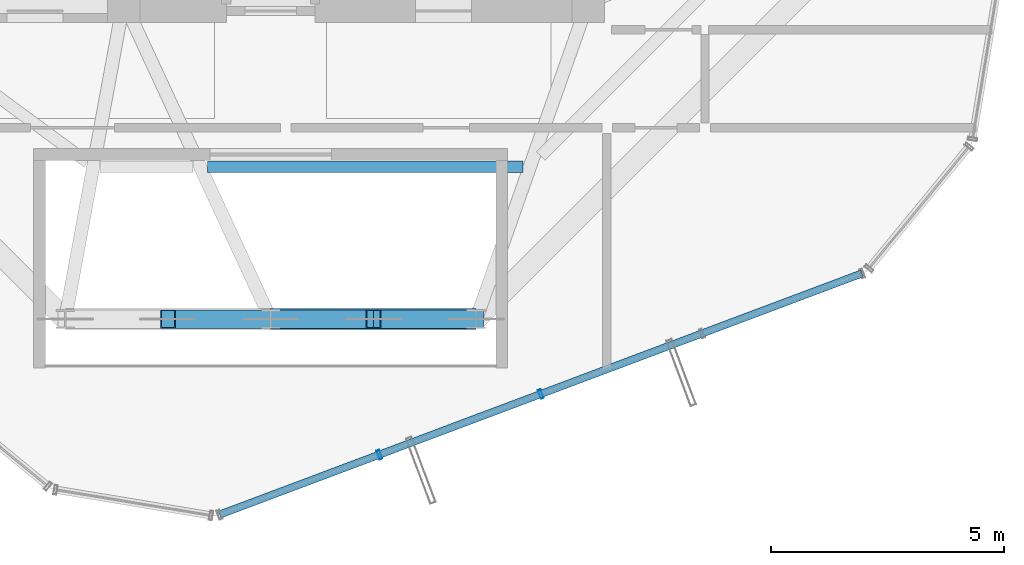
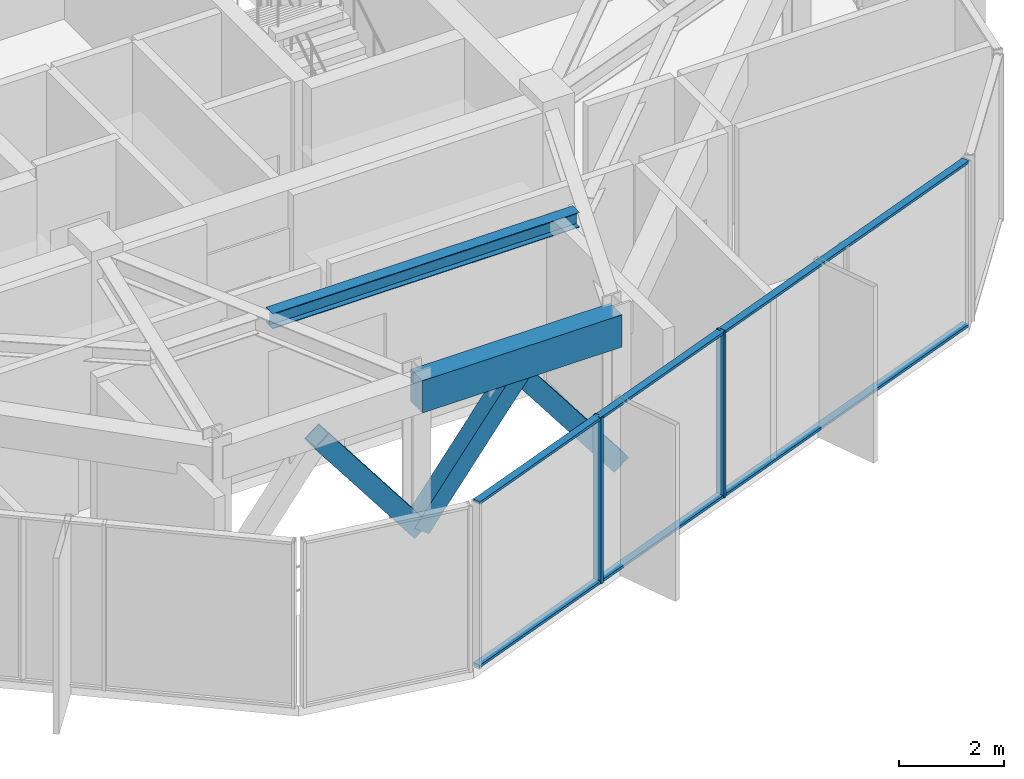
# One storey, part 6 of 22: 7 members, 2 beams, 1 element without a shape of its own.
"""IFC4 building model written with IfcOpenShell, lengths in metres."""

from ifc_helpers import new_model, si_unit, direction, frame, origin, origin_2d, place, context, subcontext, project, spatial, rectangle, hollow_rectangle, i_section, extrude, source, transform, mapped, material, layer, layer_set, material_profile, profile_set, type_object, element, aggregate, save


model = new_model("IFC4")

# Units and contexts
model_context = context("Model", 3, precision=1e-05, world=origin(), true_north=direction((0.0, 1.0)))
body_context = subcontext(model_context, "Body", "Model", "MODEL_VIEW")
ifc_project = project(units=[si_unit("LENGTHUNIT", "METRE"), si_unit("AREAUNIT", "SQUARE_METRE"), si_unit("VOLUMEUNIT", "CUBIC_METRE"), si_unit("PLANEANGLEUNIT", "RADIAN"), si_unit("MASSUNIT", "GRAM", prefix="KILO")], contexts=[model_context])

# Site, building, storey
site_placement = place(None, origin())
site = spatial("IfcSite", under=ifc_project, at=site_placement, CompositionType="ELEMENT")
building_placement = place(site_placement, origin())
building = spatial("IfcBuilding", under=site, at=building_placement, Name="Veraguas Prism Commons", CompositionType="ELEMENT")
storey_placement = place(building_placement, frame((0.0, 0.0, 240.64990234375)))
storey = spatial("IfcBuildingStorey", under=building, at=storey_placement, Name="L68", CompositionType="ELEMENT", Elevation=240.64990234375)

# Beams
ifc_material_1 = material(Name="Concrete C50/60", Category="concrete")
ifc_material_profile_1 = material_profile(ifc_material_1, rectangle(XDim=0.449951171875, YDim=0.75, at=origin_2d()), Name="RC450X750")
ifc_profile_set_1 = profile_set([ifc_material_profile_1], Name="Concrete C50/60")
beam_type_1 = type_object("IfcBeamType", Name="Perimeter Spandrel Upper RC 450x750", PredefinedType="SPANDREL", material=ifc_profile_set_1)
beam_1_placement = place(storey_placement, frame((24.0, 10.199951171875, 3.489990234375), z_axis=(1.0, 0.0, 0.0), x_axis=(0.0, 1.0, 0.0)))
element("IfcBeam", 1, at=beam_1_placement, inside=storey, type_object=beam_type_1, Name="Perimeter Spandrel Beam L68-SP11", PredefinedType="SPANDREL", context=body_context, shape_type="SweptSolid", body=[
    extrude(rectangle(XDim=0.449951171875, YDim=0.75, at=origin_2d()), origin(), (0.0, 0.0, 1.0), 4.39990234375),
])
ifc_material_2 = material(Name="Steel ASTM A992 Grade 50", Category="steel")
ifc_material_profile_2 = material_profile(ifc_material_2, i_section(OverallWidth=0.25390625, OverallDepth=0.35302734375, WebThickness=0.009521484375, FlangeThickness=0.016357421875, at=origin_2d()), Name="W360X91")
ifc_profile_set_2 = profile_set([ifc_material_profile_2], Name="Steel ASTM A992 Grade 50")
beam_type_2 = type_object("IfcBeamType", Name="Upper Floor Joist W360x91", PredefinedType="JOIST", material=ifc_profile_set_2)
beam_2_placement = place(storey_placement, frame((22.6416015625, 13.464111328125, 3.6884765625), z_axis=(1.0, 0.0, 0.0), x_axis=(0.0, 1.0, 0.0)))
element("IfcBeam", 2, at=beam_2_placement, inside=storey, type_object=beam_type_2, Name="Composite Floor Joist L68-JS11", PredefinedType="JOIST", context=body_context, shape_type="SweptSolid", body=[
    extrude(i_section(OverallWidth=0.25390625, OverallDepth=0.35302734375, WebThickness=0.009521484375, FlangeThickness=0.016357421875, at=origin_2d()), origin(), (0.0, 0.0, 1.0), 6.762451171875),
])

# Members
ifc_material_3 = material(Name="Steel ASTM A500 Grade C", Category="steel")
ifc_material_profile_3 = material_profile(ifc_material_3, hollow_rectangle(XDim=0.39990234375, YDim=0.39990234375, WallThickness=0.02001953125, at=origin_2d()), Name="HSS400X400X20")
ifc_profile_set_3 = profile_set([ifc_material_profile_3], Name="Steel ASTM A500 Grade C")
member_type_1 = type_object("IfcMemberType", Name="Wind Portal V-Brace HSS 400x400x20", PredefinedType="BRACE", material=ifc_profile_set_3)
for number, where, z_axis, x_axis, name in (
    (3, (24.0, 10.199951171875, 0.35009765625), (-0.609034408939, 0.0, 0.793143800788), (0.0, -1.0, 0.0), "Wind Portal Frame Brace L68-01B"),
    (4, (24.0, 10.199951171875, 0.35009765625), (0.609034408939, 0.0, 0.793143800788), (0.0, 1.0, 0.0), "Wind Portal Frame Brace L68-02A"),
    (5, (28.39990234375, 10.199951171875, 0.35009765625), (-0.609034408939, 0.0, 0.793143800788), (0.0, -1.0, 0.0), "Wind Portal Frame Brace L68-02B"),
):
    element("IfcMember", number, at=place(storey_placement, frame(where, z_axis=z_axis, x_axis=x_axis)), inside=storey, type_object=member_type_1, Name=name, PredefinedType="BRACE", context=body_context, shape_type="SweptSolid", body=[
        extrude(hollow_rectangle(XDim=0.39990234375, YDim=0.39990234375, WallThickness=0.02001953125, at=origin_2d()), origin(), (0.0, 0.0, 1.0), 3.6123046875),
    ])

# Curtain wall, members
ifc_material_4 = material(Name="Anodised aluminium EN AW-6063 T6", Category="aluminium")
ifc_layer = layer(ifc_material_4, 0.199951171875, Name="Sky Lobby and Pool Acoustic Curtain Wall", Category="aluminium")
ifc_layer_set = layer_set([ifc_layer], Name="Anodised aluminium EN AW-6063 T6")
curtain_wall_type = type_object("IfcCurtainWallType", Name="Sky Lobby and Pool Acoustic Curtain Wall", PredefinedType="NOTDEFINED", material=ifc_layer_set)
curtain_wall_placement = place(storey_placement, origin())
curtain_wall = element("IfcCurtainWall", 6, at=curtain_wall_placement, inside=storey, type_object=curtain_wall_type, Name="Tower Facade Curtain Wall L68-F5", PredefinedType="NOTDEFINED")
ifc_material_profile_4 = material_profile(ifc_material_4, hollow_rectangle(XDim=0.06494140625, YDim=0.199951171875, WallThickness=0.00390625, at=origin_2d()), Name="AL65X200X4")
ifc_profile_set_4 = profile_set([ifc_material_profile_4], Name="Anodised aluminium EN AW-6063 T6")
member_type_2 = type_object("IfcMemberType", Name="Curtain Wall Mullion Heavy AL 65x200x4", PredefinedType="MULLION", material=ifc_profile_set_4)
shared_shape_1 = source(origin(), body_context, "Body", "SweptSolid", [
    extrude(hollow_rectangle(XDim=0.06494140625, YDim=0.199951171875, WallThickness=0.00390625, at=origin_2d()), origin(), (0.0, 0.0, 1.0), 3.864990234375),
])
member_1_placement = place(storey_placement, frame((26.327880859375, 7.2978515625, 0.0), z_axis=(0.0, 0.0, 1.0), x_axis=(0.936182294613, 0.351514880558, 0.0)))
member_1 = element("IfcMember", 7, at=member_1_placement, type_object=member_type_2, Name="CW-SKY Mullion 2", PredefinedType="MULLION", context=body_context, shape_type="MappedRepresentation", body=[
    mapped(shared_shape_1, transform((0.0, 0.0, 0.0), scale=1.0)),
])
member_2_placement = place(storey_placement, frame((29.783935546875, 8.595703125, 0.0), z_axis=(0.0, 0.0, 1.0), x_axis=(0.936182294613, 0.351514880558, 0.0)))
member_2 = element("IfcMember", 8, at=member_2_placement, type_object=member_type_2, Name="CW-SKY Mullion 3", PredefinedType="MULLION", context=body_context, shape_type="MappedRepresentation", body=[
    mapped(shared_shape_1, transform((0.0, 0.0, 0.0), scale=1.0)),
])
ifc_material_profile_5 = material_profile(ifc_material_4, hollow_rectangle(XDim=0.06005859375, YDim=0.159912109375, WallThickness=0.0029296875, at=origin_2d()), Name="AL60X160X3")
ifc_profile_set_5 = profile_set([ifc_material_profile_5], Name="Anodised aluminium EN AW-6063 T6")
member_type_3 = type_object("IfcMemberType", Name="Curtain Wall Transom Heavy AL 60x160x3", PredefinedType="USERDEFINED", material=ifc_profile_set_5)
shared_shape_2 = source(origin(), body_context, "Body", "SweptSolid", [
    extrude(hollow_rectangle(XDim=0.06005859375, YDim=0.159912109375, WallThickness=0.0029296875, at=origin_2d()), origin(), (0.0, 0.0, 1.0), 14.701416015625),
])
member_3_placement = place(storey_placement, frame((22.90234375, 6.01171875, 0.030029296875), z_axis=(0.936183049085, 0.351512871181, 0.0), x_axis=(0.0, 0.0, 1.0)))
member_3 = element("IfcMember", 9, at=member_3_placement, type_object=member_type_3, Name="CW-SKY Transom 1", ObjectType="TRANSOM", PredefinedType="USERDEFINED", context=body_context, shape_type="MappedRepresentation", body=[
    mapped(shared_shape_2, transform((0.0, 0.0, 0.0), scale=1.0)),
])
member_4_placement = place(storey_placement, frame((22.90234375, 6.01171875, 3.835205078125), z_axis=(0.936183049085, 0.351512871181, 0.0), x_axis=(0.0, 0.0, 1.0)))
member_4 = element("IfcMember", 10, at=member_4_placement, type_object=member_type_3, Name="CW-SKY Transom 2", ObjectType="TRANSOM", PredefinedType="USERDEFINED", context=body_context, shape_type="MappedRepresentation", body=[
    mapped(shared_shape_2, transform((0.0, 0.0, 0.0), scale=1.0)),
])
aggregate(curtain_wall, [member_1, member_2, member_3, member_4])

save(model, "model.ifc")
